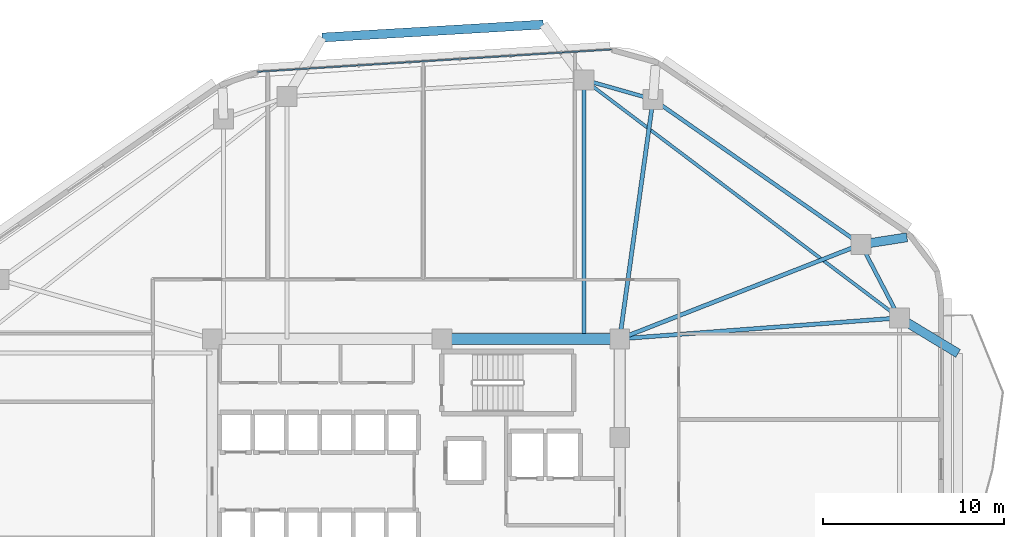
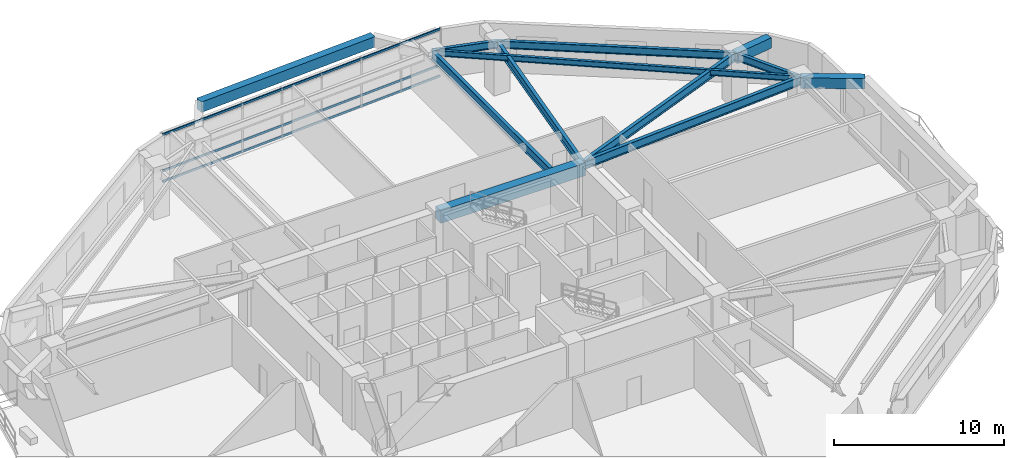
# One storey, part 4 of 13: 12 beams, 3 members, 1 element without a shape of its own.
"""IFC4 building model written with IfcOpenShell, lengths in metres."""

from ifc_helpers import new_model, si_unit, direction, frame, origin, origin_2d, place, context, subcontext, project, spatial, rectangle, hollow_rectangle, i_section, extrude, material, material_profile, profile_set, type_object, element, aggregate, save


model = new_model("IFC4")

# Units and contexts
model_context = context("Model", 3, precision=1e-05, world=origin(), true_north=direction((0.0, 1.0)))
body_context = subcontext(model_context, "Body", "Model", "MODEL_VIEW")
ifc_project = project(units=[si_unit("LENGTHUNIT", "METRE"), si_unit("AREAUNIT", "SQUARE_METRE"), si_unit("VOLUMEUNIT", "CUBIC_METRE"), si_unit("PLANEANGLEUNIT", "RADIAN"), si_unit("MASSUNIT", "GRAM", prefix="KILO")], contexts=[model_context])

# Site, building, storey
site_placement = place(None, origin())
site = spatial("IfcSite", under=ifc_project, at=site_placement, CompositionType="ELEMENT")
building_placement = place(site_placement, origin())
building = spatial("IfcBuilding", under=site, at=building_placement, Name="Zulverin Broadcast Headquarters", CompositionType="ELEMENT")
storey_placement = place(building_placement, frame((0.0, 0.0, 101.0)))
storey = spatial("IfcBuildingStorey", under=building, at=storey_placement, Name="L25", CompositionType="ELEMENT", Elevation=101.0)

# Beams
ifc_material_1 = material(Name="Concrete C60/75", Category="concrete")
ifc_material_profile_1 = material_profile(ifc_material_1, rectangle(XDim=0.60009765625, YDim=0.89990234375, at=origin_2d()), Name="Concrete C60/75", Category="concrete")
ifc_profile_set_1 = profile_set([ifc_material_profile_1], Name="Concrete C60/75")
beam_type_1 = type_object("IfcBeamType", Name="BM-CB-600x900", PredefinedType="LINTEL", material=ifc_profile_set_1)
beam_1_placement = place(storey_placement, frame((48.27490234375, 33.074951171875, 3.074951171875), z_axis=(-1.0, 0.0, 0.0), x_axis=(0.0, -1.0, 0.0)))
element("IfcBeam", 1, at=beam_1_placement, inside=storey, type_object=beam_type_1, Name="L25 Core Coupling Girder K05-K06", PredefinedType="LINTEL", context=body_context, shape_type="SweptSolid", body=[
    extrude(rectangle(XDim=0.60009765625, YDim=0.89990234375, at=origin_2d()), origin(), (0.0, 0.0, 1.0), 9.824951171875),
])
ifc_material_2 = material(Name="Concrete C40/50", Category="concrete")
ifc_material_profile_2 = material_profile(ifc_material_2, rectangle(XDim=0.5, YDim=0.75, at=origin_2d()), Name="Concrete C40/50", Category="concrete")
ifc_profile_set_2 = profile_set([ifc_material_profile_2], Name="Concrete C40/50")
beam_type_2 = type_object("IfcBeamType", Name="BM-RC-500x750", PredefinedType="BEAM", material=ifc_profile_set_2)
beam_2_placement = place(storey_placement, frame((61.630126953125, 38.298583984375, 3.14990234375), z_axis=(0.988133444256, 0.153597839639, 0.0), x_axis=(-0.153597839639, 0.988133444256, 0.0)))
element("IfcBeam", 2, at=beam_2_placement, inside=storey, type_object=beam_type_2, Name="L26 Plate Overhang Back-Spanned Beam OVR-07", PredefinedType="BEAM", context=body_context, shape_type="SweptSolid", body=[
    extrude(rectangle(XDim=0.5, YDim=0.75, at=origin_2d()), origin(), (0.0, 0.0, 1.0), 2.57177734375),
])
beam_3_placement = place(storey_placement, frame((63.75, 34.235107421875, 3.14990234375), z_axis=(0.855593685746, -0.517647993246, 0.0), x_axis=(0.517647993246, 0.855593685746, 0.0)))
element("IfcBeam", 3, at=beam_3_placement, inside=storey, type_object=beam_type_2, Name="L26 Balcony Column-Framed Cantilever BAL_E-2", PredefinedType="BEAM", context=body_context, shape_type="SweptSolid", body=[
    extrude(rectangle(XDim=0.5, YDim=0.75, at=origin_2d()), origin(), (0.0, 0.0, 1.0), 3.800048828125),
])
beam_4_placement = place(storey_placement, frame((44.049072265625, 50.46923828125, 3.14990234375), z_axis=(-0.998269148199, -0.058810779227, 0.0), x_axis=(0.058810779227, -0.998269148199, 0.0)))
element("IfcBeam", 4, at=beam_4_placement, inside=storey, type_object=beam_type_2, Name="L26 Balcony Outer Edge Trimmer Beam BAL_N", PredefinedType="BEAM", context=body_context, shape_type="SweptSolid", body=[
    extrude(rectangle(XDim=0.5, YDim=0.75, at=origin_2d()), origin(), (0.0, 0.0, 1.0), 12.254638671875),
])
ifc_material_3 = material(Name="Structural steel S355JR", Category="steel")
ifc_material_profile_3 = material_profile(ifc_material_3, i_section(OverallWidth=0.179443359375, OverallDepth=0.412841796875, WebThickness=0.009521484375, FlangeThickness=0.01611328125, at=origin_2d()), Name="Structural steel S355JR", Category="steel")
ifc_profile_set_3 = profile_set([ifc_material_profile_3], Name="Structural steel S355JR")
beam_type_3 = type_object("IfcBeamType", Name="BM-UB-406", PredefinedType="JOIST", material=ifc_profile_set_3)
beam_5_placement = place(storey_placement, frame((63.75, 34.235107421875, 3.318603515625), z_axis=(-0.798058136838, 0.602580459546, 0.0), x_axis=(-0.602580459546, -0.798058136838, 0.0)))
element("IfcBeam", 5, at=beam_5_placement, inside=storey, type_object=beam_type_3, Name="L25 Chordal Floor Joist J-02", PredefinedType="JOIST", context=body_context, shape_type="SweptSolid", body=[
    extrude(i_section(OverallWidth=0.179443359375, OverallDepth=0.412841796875, WebThickness=0.009521484375, FlangeThickness=0.01611328125, at=origin_2d()), origin(), (0.0, 0.0, 1.0), 21.86279296875),
])
ifc_material_profile_4 = material_profile(ifc_material_3, i_section(OverallWidth=0.2119140625, OverallDepth=0.54443359375, WebThickness=0.0126953125, FlangeThickness=0.021240234375, at=origin_2d()), Name="Structural steel S355JR", Category="steel")
ifc_profile_set_4 = profile_set([ifc_material_profile_4], Name="Structural steel S355JR")
beam_type_4 = type_object("IfcBeamType", Name="BM-UB-533", PredefinedType="SPANDREL", material=ifc_profile_set_4)
beam_6_placement = place(storey_placement, frame((63.75, 34.235107421875, 3.252685546875), z_axis=(-0.462531417359, 0.886602891917, 0.0), x_axis=(-0.886602891917, -0.462531417359, 0.0)))
element("IfcBeam", 6, at=beam_6_placement, inside=storey, type_object=beam_type_4, Name="L25 Perimeter Spandrel Beam SP-06", PredefinedType="SPANDREL", context=body_context, shape_type="SweptSolid", body=[
    extrude(i_section(OverallWidth=0.2119140625, OverallDepth=0.54443359375, WebThickness=0.0126953125, FlangeThickness=0.021240234375, at=origin_2d()), origin(), (0.0, 0.0, 1.0), 4.583251953125),
])
beam_7_placement = place(storey_placement, frame((61.630126953125, 38.298583984375, 3.252685546875), z_axis=(-0.820183915206, 0.5720999434, 0.0), x_axis=(-0.5720999434, -0.820183915206, 0.0)))
element("IfcBeam", 7, at=beam_7_placement, inside=storey, type_object=beam_type_4, Name="L25 Perimeter Spandrel Beam SP-07", PredefinedType="SPANDREL", context=body_context, shape_type="SweptSolid", body=[
    extrude(i_section(OverallWidth=0.2119140625, OverallDepth=0.54443359375, WebThickness=0.0126953125, FlangeThickness=0.021240234375, at=origin_2d()), origin(), (0.0, 0.0, 1.0), 14.03125),
])
beam_8_placement = place(storey_placement, frame((50.121826171875, 46.325927734375, 3.252685546875), z_axis=(-0.962058150721, 0.272844487999, 0.0), x_axis=(-0.272844487999, -0.962058150721, 0.0)))
element("IfcBeam", 8, at=beam_8_placement, inside=storey, type_object=beam_type_4, Name="L25 Perimeter Spandrel Beam SP-08", PredefinedType="SPANDREL", context=body_context, shape_type="SweptSolid", body=[
    extrude(i_section(OverallWidth=0.2119140625, OverallDepth=0.54443359375, WebThickness=0.0126953125, FlangeThickness=0.021240234375, at=origin_2d()), origin(), (0.0, 0.0, 1.0), 3.97021484375),
])
ifc_material_profile_5 = material_profile(ifc_material_3, i_section(OverallWidth=0.230224609375, OverallDepth=0.6171875, WebThickness=0.01318359375, FlangeThickness=0.022216796875, at=origin_2d()), Name="Structural steel S355JR", Category="steel")
ifc_profile_set_5 = profile_set([ifc_material_profile_5], Name="Structural steel S355JR")
beam_type_5 = type_object("IfcBeamType", Name="BM-UB-610", PredefinedType="BEAM", material=ifc_profile_set_5)
beam_9_placement = place(storey_placement, frame((48.27490234375, 33.074951171875, 3.21630859375), z_axis=(0.997201597387, 0.074759442003, 0.0), x_axis=(-0.074759442003, 0.997201597387, 0.0)))
element("IfcBeam", 9, at=beam_9_placement, inside=storey, type_object=beam_type_5, Name="L25 Radial Primary Floor Beam RB-06", PredefinedType="BEAM", context=body_context, shape_type="SweptSolid", body=[
    extrude(i_section(OverallWidth=0.230224609375, OverallDepth=0.6171875, WebThickness=0.01318359375, FlangeThickness=0.022216796875, at=origin_2d()), origin(), (0.0, 0.0, 1.0), 15.5185546875),
])
beam_10_placement = place(storey_placement, frame((48.27490234375, 33.074951171875, 3.21630859375), z_axis=(0.931297778153, 0.364258765723, 0.0), x_axis=(-0.364258765723, 0.931297778153, 0.0)))
element("IfcBeam", 10, at=beam_10_placement, inside=storey, type_object=beam_type_5, Name="L25 Radial Primary Floor Beam RB-07", PredefinedType="BEAM", context=body_context, shape_type="SweptSolid", body=[
    extrude(i_section(OverallWidth=0.230224609375, OverallDepth=0.6171875, WebThickness=0.01318359375, FlangeThickness=0.022216796875, at=origin_2d()), origin(), (0.0, 0.0, 1.0), 14.34033203125),
])
beam_11_placement = place(storey_placement, frame((48.27490234375, 33.074951171875, 3.21630859375), z_axis=(0.138045758193, 0.990425852169, 0.0), x_axis=(-0.990425852169, 0.138045758193, 0.0)))
element("IfcBeam", 11, at=beam_11_placement, inside=storey, type_object=beam_type_5, Name="L25 Radial Primary Floor Beam RB-08", PredefinedType="BEAM", context=body_context, shape_type="SweptSolid", body=[
    extrude(i_section(OverallWidth=0.230224609375, OverallDepth=0.6171875, WebThickness=0.01318359375, FlangeThickness=0.022216796875, at=origin_2d()), origin(), (0.0, 0.0, 1.0), 13.379150390625),
])
beam_12_placement = place(storey_placement, frame((46.30224609375, 33.074951171875, 3.21630859375), z_axis=(0.0, 1.0, 0.0), x_axis=(-1.0, 0.0, 0.0)))
element("IfcBeam", 12, at=beam_12_placement, inside=storey, type_object=beam_type_5, Name="L25 Radial Primary Floor Beam RB-09", PredefinedType="BEAM", context=body_context, shape_type="SweptSolid", body=[
    extrude(i_section(OverallWidth=0.230224609375, OverallDepth=0.6171875, WebThickness=0.01318359375, FlangeThickness=0.022216796875, at=origin_2d()), origin(), (0.0, 0.0, 1.0), 14.334228515625),
])

# Curtain wall, members
ifc_material_4 = material(Name="Low-zone ribbon unitised curtain wall", Category="aluminium")
curtain_wall_type = type_object("IfcCurtainWallType", Name="CW-TWR-LOW", PredefinedType="USERDEFINED", material=ifc_material_4)
curtain_wall_placement = place(storey_placement, origin())
curtain_wall = element("IfcCurtainWall", 13, at=curtain_wall_placement, inside=storey, type_object=curtain_wall_type, Name="L25 Unitised Curtain Wall CW-L25-E5", ObjectType="UNITISED CURTAIN WALL", PredefinedType="USERDEFINED")
ifc_material_5 = material(Name="Anodized pale-metal aluminium alloy 6063-T6", Category="aluminium")
ifc_material_profile_6 = material_profile(ifc_material_5, hollow_rectangle(XDim=0.074951171875, YDim=0.14990234375, WallThickness=0.0048828125, at=origin_2d()), Name="Anodized pale-metal aluminium alloy 6063-T6", Category="aluminium")
ifc_profile_set_6 = profile_set([ifc_material_profile_6], Name="Anodized pale-metal aluminium alloy 6063-T6")
member_type = type_object("IfcMemberType", Name="CW-TRN-150", PredefinedType="USERDEFINED", material=ifc_profile_set_6)
member_1_placement = place(storey_placement, frame((47.83056640625, 49.08935546875, 0.074951171875), z_axis=(-0.998017725054, -0.062933460723, 0.0), x_axis=(0.062933460723, -0.998017725054, 0.0)))
member_1 = element("IfcMember", 14, at=member_1_placement, type_object=member_type, Name="CW-L25-E5 Transom 0", ObjectType="TRANSOM", PredefinedType="USERDEFINED", context=body_context, shape_type="SweptSolid", body=[
    extrude(hollow_rectangle(XDim=0.074951171875, YDim=0.14990234375, WallThickness=0.0048828125, at=origin_2d()), origin(), (0.0, 0.0, 1.0), 19.62939453125),
])
member_2_placement = place(storey_placement, frame((47.83056640625, 49.08935546875, 0.845947265625), z_axis=(-0.998017725054, -0.062933460723, 0.0), x_axis=(0.062933460723, -0.998017725054, 0.0)))
member_2 = element("IfcMember", 15, at=member_2_placement, type_object=member_type, Name="CW-L25-E5 Transom 1", ObjectType="TRANSOM", PredefinedType="USERDEFINED", context=body_context, shape_type="SweptSolid", body=[
    extrude(hollow_rectangle(XDim=0.074951171875, YDim=0.14990234375, WallThickness=0.0048828125, at=origin_2d()), origin(), (0.0, 0.0, 1.0), 19.62939453125),
])
member_3_placement = place(storey_placement, frame((47.83056640625, 49.08935546875, 3.449951171875), z_axis=(-0.998017725054, -0.062933460723, 0.0), x_axis=(0.062933460723, -0.998017725054, 0.0)))
member_3 = element("IfcMember", 16, at=member_3_placement, type_object=member_type, Name="CW-L25-E5 Transom 2", ObjectType="TRANSOM", PredefinedType="USERDEFINED", context=body_context, shape_type="SweptSolid", body=[
    extrude(hollow_rectangle(XDim=0.074951171875, YDim=0.14990234375, WallThickness=0.0048828125, at=origin_2d()), origin(), (0.0, 0.0, 1.0), 19.62939453125),
])
aggregate(curtain_wall, [member_1, member_2, member_3])

save(model, "model.ifc")
